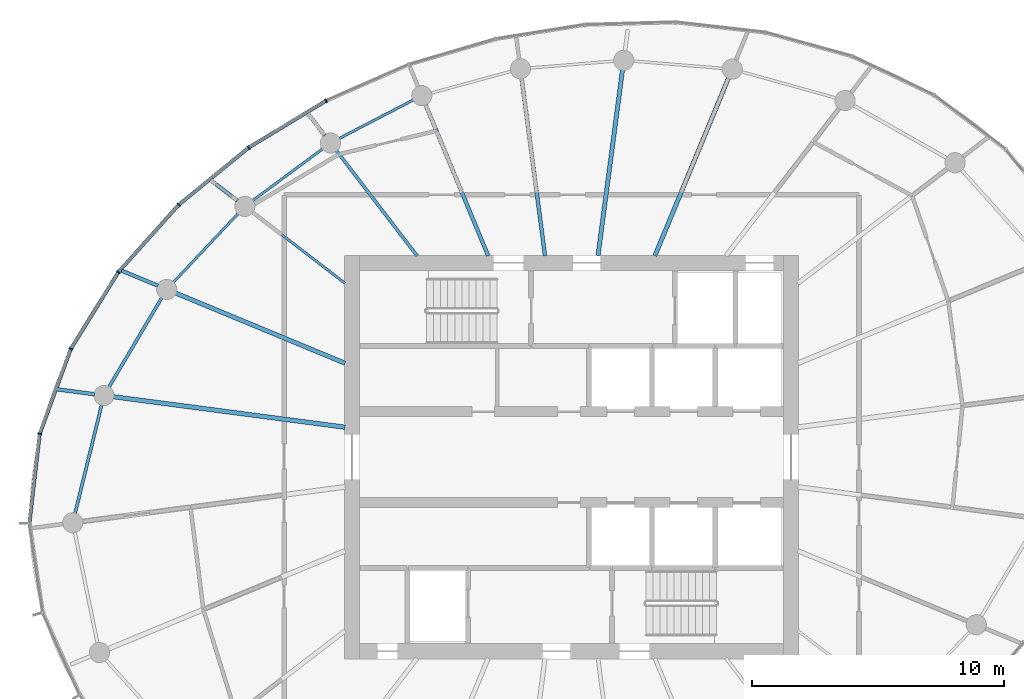
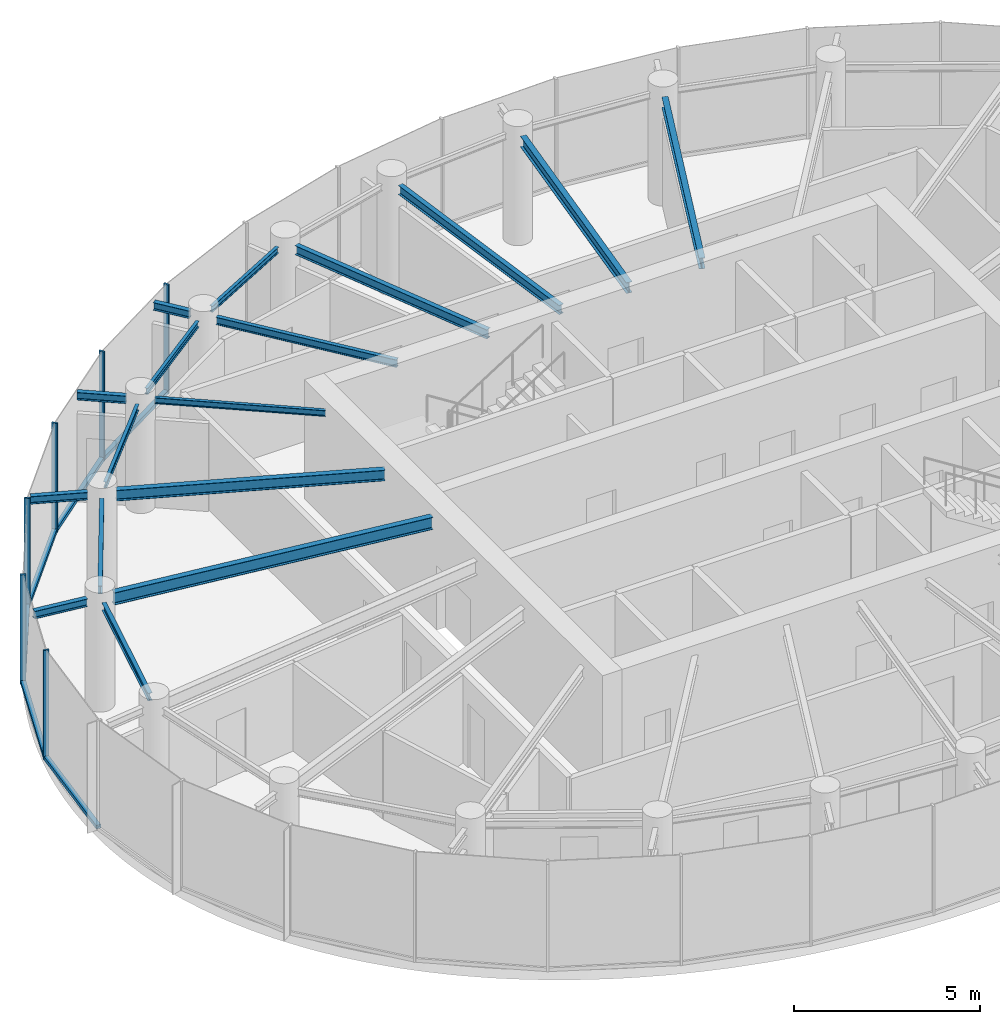
# One storey, part 4 of 13: 17 beams, 12 members, 2 elements without a shape of their own.
"""IFC4 building model written with IfcOpenShell, lengths in metres."""

from ifc_helpers import new_model, si_unit, direction, frame, origin, origin_2d, place, context, subcontext, project, spatial, rectangle, i_section, extrude, source, transform, mapped, material, layer, layer_set, material_profile, profile_set, type_object, element, aggregate, save


model = new_model("IFC4")

# Units and contexts
model_context = context("Model", 3, precision=1e-05, world=origin(), true_north=direction((0.0, 1.0)))
body_context = subcontext(model_context, "Body", "Model", "MODEL_VIEW")
ifc_project = project(units=[si_unit("LENGTHUNIT", "METRE"), si_unit("AREAUNIT", "SQUARE_METRE"), si_unit("VOLUMEUNIT", "CUBIC_METRE"), si_unit("PLANEANGLEUNIT", "RADIAN"), si_unit("MASSUNIT", "GRAM", prefix="KILO")], contexts=[model_context])

# Site, building, storey
site_placement = place(None, origin())
site = spatial("IfcSite", under=ifc_project, at=site_placement, CompositionType="ELEMENT")
building_placement = place(site_placement, origin())
building = spatial("IfcBuilding", under=site, at=building_placement, Name="Spindrift Exchange Tower", CompositionType="ELEMENT")
storey_placement = place(building_placement, frame((0.0, 0.0, 254.0)))
storey = spatial("IfcBuildingStorey", under=building, at=storey_placement, Name="L62", CompositionType="ELEMENT", Elevation=254.0)

# Beams
ifc_material_1 = material(Name="Steel Grade 300", Category="steel")
ifc_material_profile_1 = material_profile(ifc_material_1, i_section(OverallWidth=0.14599609375, OverallDepth=0.251953125, WebThickness=0.006103515625, FlangeThickness=0.008544921875, FilletRadius=0.011962890625, at=origin_2d()), Name="250UB31.4")
ifc_profile_set_1 = profile_set([ifc_material_profile_1], Name="Steel Grade 300")
beam_type_1 = type_object("IfcBeamType", Name="Cantilever Beam 250UB31.4 Steel Grade 300", PredefinedType="BEAM", material=ifc_profile_set_1)
shared_shape_1 = source(origin(), body_context, "Body", "SweptSolid", [
    extrude(i_section(OverallWidth=0.14599609375, OverallDepth=0.251953125, WebThickness=0.006103515625, FlangeThickness=0.008544921875, FilletRadius=0.011962890625, at=origin_2d()), origin(), (0.0, 0.0, 1.0), 1.551025390625),
])
beam_1_placement = place(storey_placement, frame((35.597412109375, 54.794189453125, 3.4541015625), z_axis=(-0.923903659935, 0.382625178416, 0.0), x_axis=(-0.382625178416, -0.923903659935, 0.0)))
element("IfcBeam", 1, at=beam_1_placement, inside=storey, type_object=beam_type_1, Name="L62 cantilever beam R11T", PredefinedType="BEAM", context=body_context, shape_type="MappedRepresentation", body=[
    mapped(shared_shape_1, transform((0.0, 0.0, 0.0), scale=1.0)),
])
ifc_material_profile_2 = material_profile(ifc_material_1, i_section(OverallWidth=0.1708984375, OverallDepth=0.35205078125, WebThickness=0.0068359375, FlangeThickness=0.009765625, FilletRadius=0.013916015625, at=origin_2d()), Name="360UB44.7")
ifc_profile_set_2 = profile_set([ifc_material_profile_2], Name="Steel Grade 300")
beam_type_2 = type_object("IfcBeamType", Name="Floor Beam 360UB44.7 Steel Grade 300", PredefinedType="BEAM", material=ifc_profile_set_2)
shared_shape_2 = source(origin(), body_context, "Body", "SweptSolid", [
    extrude(i_section(OverallWidth=0.1708984375, OverallDepth=0.35205078125, WebThickness=0.0068359375, FlangeThickness=0.009765625, FilletRadius=0.013916015625, at=origin_2d()), origin(), (0.0, 0.0, 1.0), 7.630859375),
])
beam_2_placement = place(storey_placement, frame((55.30615234375, 55.9814453125, 3.404052734375), z_axis=(0.382676740702, 0.92388230426, 0.0), x_axis=(-0.92388230426, 0.382676740702, 0.0)))
element("IfcBeam", 2, at=beam_2_placement, inside=storey, type_object=beam_type_2, Name="L62 radial beam R05A", PredefinedType="BEAM", context=body_context, shape_type="MappedRepresentation", body=[
    mapped(shared_shape_2, transform((0.0, 0.0, 0.0), scale=1.0)),
])
shared_shape_3 = source(origin(), body_context, "Body", "SweptSolid", [
    extrude(i_section(OverallWidth=0.1708984375, OverallDepth=0.35205078125, WebThickness=0.0068359375, FlangeThickness=0.009765625, FilletRadius=0.013916015625, at=origin_2d()), origin(), (0.0, 0.0, 1.0), 7.43798828125),
])
beam_3_placement = place(storey_placement, frame((53.050537109375, 55.980224609375, 3.404052734375), z_axis=(0.130540269579, 0.991443007953, 0.0), x_axis=(-0.991443007953, 0.130540269579, 0.0)))
element("IfcBeam", 3, at=beam_3_placement, inside=storey, type_object=beam_type_2, Name="L62 radial beam R06A", PredefinedType="BEAM", context=body_context, shape_type="MappedRepresentation", body=[
    mapped(shared_shape_3, transform((0.0, 0.0, 0.0), scale=1.0)),
])
ifc_material_profile_3 = material_profile(ifc_material_1, i_section(OverallWidth=0.14892578125, OverallDepth=0.298095703125, WebThickness=0.005615234375, FlangeThickness=0.008056640625, FilletRadius=0.012939453125, at=origin_2d()), Name="310UB32.0")
ifc_profile_set_3 = profile_set([ifc_material_profile_3], Name="Steel Grade 300")
beam_type_3 = type_object("IfcBeamType", Name="Floor Beam 310UB32.0 Steel Grade 300", PredefinedType="BEAM", material=ifc_profile_set_3)
shared_shape_4 = source(origin(), body_context, "Body", "SweptSolid", [
    extrude(i_section(OverallWidth=0.14892578125, OverallDepth=0.298095703125, WebThickness=0.005615234375, FlangeThickness=0.008056640625, FilletRadius=0.012939453125, at=origin_2d()), origin(), (0.0, 0.0, 1.0), 7.099853515625),
])
beam_4_placement = place(storey_placement, frame((50.949462890625, 55.980224609375, 3.430908203125), z_axis=(-0.130532789835, 0.991443992759, 0.0), x_axis=(-0.991443992759, -0.130532789835, 0.0)))
element("IfcBeam", 4, at=beam_4_placement, inside=storey, type_object=beam_type_3, Name="L62 radial beam R07A", PredefinedType="BEAM", context=body_context, shape_type="MappedRepresentation", body=[
    mapped(shared_shape_4, transform((0.0, 0.0, 0.0), scale=1.0)),
])
shared_shape_5 = source(origin(), body_context, "Body", "SweptSolid", [
    extrude(i_section(OverallWidth=0.14892578125, OverallDepth=0.298095703125, WebThickness=0.005615234375, FlangeThickness=0.008056640625, FilletRadius=0.012939453125, at=origin_2d()), origin(), (0.0, 0.0, 1.0), 6.495849609375),
])
beam_5_placement = place(storey_placement, frame((48.69384765625, 55.9814453125, 3.430908203125), z_axis=(-0.382677087308, 0.923882160695, 0.0), x_axis=(-0.923882160695, -0.382677087308, 0.0)))
element("IfcBeam", 5, at=beam_5_placement, inside=storey, type_object=beam_type_3, Name="L62 radial beam R08A", PredefinedType="BEAM", context=body_context, shape_type="MappedRepresentation", body=[
    mapped(shared_shape_5, transform((0.0, 0.0, 0.0), scale=1.0)),
])
ifc_material_profile_4 = material_profile(ifc_material_1, i_section(OverallWidth=0.1240234375, OverallDepth=0.248046875, WebThickness=0.0048828125, FlangeThickness=0.008056640625, FilletRadius=0.011962890625, at=origin_2d()), Name="250UB25.7")
ifc_profile_set_4 = profile_set([ifc_material_profile_4], Name="Steel Grade 300")
beam_type_4 = type_object("IfcBeamType", Name="Floor Beam 250UB25.7 Steel Grade 300", PredefinedType="BEAM", material=ifc_profile_set_4)
shared_shape_6 = source(origin(), body_context, "Body", "SweptSolid", [
    extrude(i_section(OverallWidth=0.1240234375, OverallDepth=0.248046875, WebThickness=0.0048828125, FlangeThickness=0.008056640625, FilletRadius=0.011962890625, at=origin_2d()), origin(), (0.0, 0.0, 1.0), 5.25341796875),
])
beam_6_placement = place(storey_placement, frame((45.87353515625, 55.984130859375, 3.4560546875), z_axis=(-0.608760287872, 0.793354215915, 0.0), x_axis=(-0.793354215915, -0.608760287872, 0.0)))
element("IfcBeam", 6, at=beam_6_placement, inside=storey, type_object=beam_type_4, Name="L62 radial beam R09A", PredefinedType="BEAM", context=body_context, shape_type="MappedRepresentation", body=[
    mapped(shared_shape_6, transform((0.0, 0.0, 0.0), scale=1.0)),
])
ifc_material_profile_5 = material_profile(ifc_material_1, i_section(OverallWidth=0.09912109375, OverallDepth=0.197998046875, WebThickness=0.00439453125, FlangeThickness=0.007080078125, FilletRadius=0.010986328125, at=origin_2d()), Name="200UB18.2")
ifc_profile_set_5 = profile_set([ifc_material_profile_5], Name="Steel Grade 300")
beam_type_5 = type_object("IfcBeamType", Name="Floor Beam 200UB18.2 Steel Grade 300", PredefinedType="BEAM", material=ifc_profile_set_5)
shared_shape_7 = source(origin(), body_context, "Body", "SweptSolid", [
    extrude(i_section(OverallWidth=0.09912109375, OverallDepth=0.197998046875, WebThickness=0.00439453125, FlangeThickness=0.007080078125, FilletRadius=0.010986328125, at=origin_2d()), origin(), (0.0, 0.0, 1.0), 4.622802734375),
])
beam_7_placement = place(storey_placement, frame((43.015869140625, 54.893798828125, 3.48095703125), z_axis=(-0.793347882225, 0.608768542033, 0.0), x_axis=(-0.608768542033, -0.793347882225, 0.0)))
element("IfcBeam", 7, at=beam_7_placement, inside=storey, type_object=beam_type_5, Name="L62 radial beam R10A", PredefinedType="BEAM", context=body_context, shape_type="MappedRepresentation", body=[
    mapped(shared_shape_7, transform((0.0, 0.0, 0.0), scale=1.0)),
])
shared_shape_8 = source(origin(), body_context, "Body", "SweptSolid", [
    extrude(i_section(OverallWidth=0.1708984375, OverallDepth=0.35205078125, WebThickness=0.0068359375, FlangeThickness=0.009765625, FilletRadius=0.013916015625, at=origin_2d()), origin(), (0.0, 0.0, 1.0), 7.272705078125),
])
beam_8_placement = place(storey_placement, frame((43.0185546875, 51.72021484375, 3.404052734375), z_axis=(-0.923874446092, 0.382695711836, 0.0), x_axis=(-0.382695711836, -0.923874446092, 0.0)))
element("IfcBeam", 8, at=beam_8_placement, inside=storey, type_object=beam_type_2, Name="L62 radial beam R11A", PredefinedType="BEAM", context=body_context, shape_type="MappedRepresentation", body=[
    mapped(shared_shape_8, transform((0.0, 0.0, 0.0), scale=1.0)),
])
ifc_material_profile_6 = material_profile(ifc_material_1, i_section(OverallWidth=0.177978515625, OverallDepth=0.403076171875, WebThickness=0.007568359375, FlangeThickness=0.010986328125, FilletRadius=0.013916015625, at=origin_2d()), Name="410UB53.7")
ifc_profile_set_6 = profile_set([ifc_material_profile_6], Name="Steel Grade 300")
beam_type_6 = type_object("IfcBeamType", Name="Floor Beam 410UB53.7 Steel Grade 300", PredefinedType="BEAM", material=ifc_profile_set_6)
shared_shape_9 = source(origin(), body_context, "Body", "SweptSolid", [
    extrude(i_section(OverallWidth=0.177978515625, OverallDepth=0.403076171875, WebThickness=0.007568359375, FlangeThickness=0.010986328125, FilletRadius=0.013916015625, at=origin_2d()), origin(), (0.0, 0.0, 1.0), 9.261962890625),
])
beam_9_placement = place(storey_placement, frame((43.019775390625, 49.182373046875, 3.37841796875), z_axis=(-0.991447744872, 0.130504288008, 0.0), x_axis=(-0.130504288008, -0.991447744872, 0.0)))
element("IfcBeam", 9, at=beam_9_placement, inside=storey, type_object=beam_type_6, Name="L62 radial beam R12A", PredefinedType="BEAM", context=body_context, shape_type="MappedRepresentation", body=[
    mapped(shared_shape_9, transform((0.0, 0.0, 0.0), scale=1.0)),
])
ifc_material_profile_7 = material_profile(ifc_material_1, i_section(OverallWidth=0.09912109375, OverallDepth=0.197998046875, WebThickness=0.00439453125, FlangeThickness=0.007080078125, FilletRadius=0.010986328125, at=origin_2d()), Name="200UB18.2")
ifc_profile_set_7 = profile_set([ifc_material_profile_7], Name="Steel Grade 300")
beam_type_7 = type_object("IfcBeamType", Name="Edge Beam 200UB18.2 Steel Grade 300", PredefinedType="SPANDREL", material=ifc_profile_set_7)
shared_shape_10 = source(origin(), body_context, "Body", "SweptSolid", [
    extrude(i_section(OverallWidth=0.09912109375, OverallDepth=0.197998046875, WebThickness=0.00439453125, FlangeThickness=0.007080078125, FilletRadius=0.010986328125, at=origin_2d()), origin(), (0.0, 0.0, 1.0), 3.31787109375),
])
beam_10_placement = place(storey_placement, frame((45.7255859375, 62.15869140625, 3.48095703125), z_axis=(-0.887327612278, -0.46113957593, 0.0), x_axis=(0.46113957593, -0.887327612278, 0.0)))
element("IfcBeam", 10, at=beam_10_placement, inside=storey, type_object=beam_type_7, Name="L62 edge beam E08", PredefinedType="SPANDREL", context=body_context, shape_type="MappedRepresentation", body=[
    mapped(shared_shape_10, transform((0.0, 0.0, 0.0), scale=1.0)),
])
shared_shape_11 = source(origin(), body_context, "Body", "SweptSolid", [
    extrude(i_section(OverallWidth=0.09912109375, OverallDepth=0.197998046875, WebThickness=0.00439453125, FlangeThickness=0.007080078125, FilletRadius=0.010986328125, at=origin_2d()), origin(), (0.0, 0.0, 1.0), 3.466552734375),
])
beam_11_placement = place(storey_placement, frame((42.138916015625, 60.227294921875, 3.48095703125), z_axis=(-0.803854022168, -0.594826622676, 0.0), x_axis=(0.594826622676, -0.803854022168, 0.0)))
element("IfcBeam", 11, at=beam_11_placement, inside=storey, type_object=beam_type_7, Name="L62 edge beam E09", PredefinedType="SPANDREL", context=body_context, shape_type="MappedRepresentation", body=[
    mapped(shared_shape_11, transform((0.0, 0.0, 0.0), scale=1.0)),
])
shared_shape_12 = source(origin(), body_context, "Body", "SweptSolid", [
    extrude(i_section(OverallWidth=0.09912109375, OverallDepth=0.197998046875, WebThickness=0.00439453125, FlangeThickness=0.007080078125, FilletRadius=0.010986328125, at=origin_2d()), origin(), (0.0, 0.0, 1.0), 3.759765625),
])
beam_12_placement = place(storey_placement, frame((38.786376953125, 57.66259765625, 3.48095703125), z_axis=(-0.685520646854, -0.72805318675, 0.0), x_axis=(0.72805318675, -0.685520646854, 0.0)))
element("IfcBeam", 12, at=beam_12_placement, inside=storey, type_object=beam_type_7, Name="L62 edge beam E10", PredefinedType="SPANDREL", context=body_context, shape_type="MappedRepresentation", body=[
    mapped(shared_shape_12, transform((0.0, 0.0, 0.0), scale=1.0)),
])
ifc_material_profile_8 = material_profile(ifc_material_1, i_section(OverallWidth=0.1240234375, OverallDepth=0.248046875, WebThickness=0.0048828125, FlangeThickness=0.008056640625, FilletRadius=0.011962890625, at=origin_2d()), Name="250UB25.7")
ifc_profile_set_8 = profile_set([ifc_material_profile_8], Name="Steel Grade 300")
beam_type_8 = type_object("IfcBeamType", Name="Edge Beam 250UB25.7 Steel Grade 300", PredefinedType="SPANDREL", material=ifc_profile_set_8)
shared_shape_13 = source(origin(), body_context, "Body", "SweptSolid", [
    extrude(i_section(OverallWidth=0.1240234375, OverallDepth=0.248046875, WebThickness=0.0048828125, FlangeThickness=0.008056640625, FilletRadius=0.011962890625, at=origin_2d()), origin(), (0.0, 0.0, 1.0), 4.128662109375),
])
beam_13_placement = place(storey_placement, frame((35.755126953125, 54.321533203125, 3.4560546875), z_axis=(-0.509067946458, -0.860726336235, 0.0), x_axis=(0.860726336235, -0.509067946458, 0.0)))
element("IfcBeam", 13, at=beam_13_placement, inside=storey, type_object=beam_type_8, Name="L62 edge beam E11", PredefinedType="SPANDREL", context=body_context, shape_type="MappedRepresentation", body=[
    mapped(shared_shape_13, transform((0.0, 0.0, 0.0), scale=1.0)),
])
shared_shape_14 = source(origin(), body_context, "Body", "SweptSolid", [
    extrude(i_section(OverallWidth=0.1240234375, OverallDepth=0.248046875, WebThickness=0.0048828125, FlangeThickness=0.008056640625, FilletRadius=0.011962890625, at=origin_2d()), origin(), (0.0, 0.0, 1.0), 4.43408203125),
])
beam_14_placement = place(storey_placement, frame((33.369384765625, 50.07177734375, 3.4560546875), z_axis=(-0.238193109804, -0.971217814109, 0.0), x_axis=(0.971217814109, -0.238193109804, 0.0)))
element("IfcBeam", 14, at=beam_14_placement, inside=storey, type_object=beam_type_8, Name="L62 edge beam E12", PredefinedType="SPANDREL", context=body_context, shape_type="MappedRepresentation", body=[
    mapped(shared_shape_14, transform((0.0, 0.0, 0.0), scale=1.0)),
])
shared_shape_15 = source(origin(), body_context, "Body", "SweptSolid", [
    extrude(i_section(OverallWidth=0.14599609375, OverallDepth=0.251953125, WebThickness=0.006103515625, FlangeThickness=0.008544921875, FilletRadius=0.011962890625, at=origin_2d()), origin(), (0.0, 0.0, 1.0), 1.048828125),
])
beam_15_placement = place(storey_placement, frame((42.212890625, 60.754638671875, 3.4541015625), z_axis=(-0.608641632682, 0.793445248877, 0.0), x_axis=(-0.793445248877, -0.608641632682, 0.0)))
element("IfcBeam", 15, at=beam_15_placement, inside=storey, type_object=beam_type_1, Name="L62 cantilever beam R09T", PredefinedType="BEAM", context=body_context, shape_type="MappedRepresentation", body=[
    mapped(shared_shape_15, transform((0.0, 0.0, 0.0), scale=1.0)),
])
shared_shape_16 = source(origin(), body_context, "Body", "SweptSolid", [
    extrude(i_section(OverallWidth=0.14599609375, OverallDepth=0.251953125, WebThickness=0.006103515625, FlangeThickness=0.008544921875, FilletRadius=0.011962890625, at=origin_2d()), origin(), (0.0, 0.0, 1.0), 1.338623046875),
])
beam_16_placement = place(storey_placement, frame((38.74560546875, 58.170654296875, 3.4541015625), z_axis=(-0.793430184658, 0.608661270391, 0.0), x_axis=(-0.608661270391, -0.793430184658, 0.0)))
element("IfcBeam", 16, at=beam_16_placement, inside=storey, type_object=beam_type_1, Name="L62 cantilever beam R10T", PredefinedType="BEAM", context=body_context, shape_type="MappedRepresentation", body=[
    mapped(shared_shape_16, transform((0.0, 0.0, 0.0), scale=1.0)),
])
shared_shape_17 = source(origin(), body_context, "Body", "SweptSolid", [
    extrude(i_section(OverallWidth=0.14599609375, OverallDepth=0.251953125, WebThickness=0.006103515625, FlangeThickness=0.008544921875, FilletRadius=0.011962890625, at=origin_2d()), origin(), (0.0, 0.0, 1.0), 1.546630859375),
])
beam_17_placement = place(storey_placement, frame((33.083251953125, 50.490478515625, 3.4541015625), z_axis=(-0.991443009305, 0.130540259305, 0.0), x_axis=(-0.130540259305, -0.991443009305, 0.0)))
element("IfcBeam", 17, at=beam_17_placement, inside=storey, type_object=beam_type_1, Name="L62 cantilever beam R12T", PredefinedType="BEAM", context=body_context, shape_type="MappedRepresentation", body=[
    mapped(shared_shape_17, transform((0.0, 0.0, 0.0), scale=1.0)),
])

# Curtain wall, members
ifc_material_2 = material(Name="Fritted laminated glass with bronze frame", Category="glass")
ifc_layer = layer(ifc_material_2, 0.159912109375)
ifc_layer_set = layer_set([ifc_layer], Name="ZONE 5 BRONZE FRITTED WALL")
curtain_wall_type = type_object("IfcCurtainWallType", Name="ZONE 5 BRONZE FRITTED WALL", PredefinedType="NOTDEFINED", material=ifc_layer_set)
curtain_wall_1_placement = place(storey_placement, origin())
curtain_wall_1 = element("IfcCurtainWall", 18, at=curtain_wall_1_placement, inside=storey, type_object=curtain_wall_type, Name="L62 Zone 5 Bronze Fritted Wall run 2", PredefinedType="NOTDEFINED")
ifc_material_3 = material(Name="Bronze anodised aluminium", Category="aluminium")
ifc_material_profile_9 = material_profile(ifc_material_3, rectangle(XDim=0.06005859375, YDim=0.159912109375, at=origin_2d()), Name="ZONE 5 BRONZE FRITTED WALL MULLION 60X160")
ifc_profile_set_9 = profile_set([ifc_material_profile_9], Name="Bronze anodised aluminium")
member_type_1 = type_object("IfcMemberType", Name="ZONE 5 BRONZE FRITTED WALL MULLION 60X160", PredefinedType="MULLION", material=ifc_profile_set_9)
shared_shape_18 = source(origin(), body_context, "Body", "SweptSolid", [
    extrude(rectangle(XDim=0.06005859375, YDim=0.159912109375, at=origin_2d()), origin(), (0.0, 0.0, 1.0), 3.580078125),
])
member_1_placement = place(storey_placement, frame((42.265380859375, 62.130615234375, 0.0), z_axis=(0.0, 0.0, 1.0), x_axis=(-0.887443142127, -0.460917204594, 0.0)))
member_1 = element("IfcMember", 19, at=member_1_placement, type_object=member_type_1, Name="L62 mullion CW-5.11", PredefinedType="MULLION", context=body_context, shape_type="MappedRepresentation", body=[
    mapped(shared_shape_18, transform((0.0, 0.0, 0.0), scale=1.0)),
])
member_2_placement = place(storey_placement, frame((39.198486328125, 60.272216796875, 0.0), z_axis=(0.0, 0.0, 1.0), x_axis=(-0.816787534057, -0.576938579234, 0.0)))
member_2 = element("IfcMember", 20, at=member_2_placement, type_object=member_type_1, Name="L62 mullion CW-5.12", PredefinedType="MULLION", context=body_context, shape_type="MappedRepresentation", body=[
    mapped(shared_shape_18, transform((0.0, 0.0, 0.0), scale=1.0)),
])

curtain_wall_2_placement = place(storey_placement, origin())
curtain_wall_2 = element("IfcCurtainWall", 21, at=curtain_wall_2_placement, inside=storey, type_object=curtain_wall_type, Name="L62 Zone 5 Bronze Fritted Wall run 3", PredefinedType="NOTDEFINED")
member_3_placement = place(storey_placement, frame((36.42236328125, 58.003173828125, 0.0), z_axis=(0.0, 0.0, 1.0), x_axis=(-0.722977818343, -0.69087124284, 0.0)))
member_3 = element("IfcMember", 22, at=member_3_placement, type_object=member_type_1, Name="L62 mullion CW-5.13", PredefinedType="MULLION", context=body_context, shape_type="MappedRepresentation", body=[
    mapped(shared_shape_18, transform((0.0, 0.0, 0.0), scale=1.0)),
])
member_4_placement = place(storey_placement, frame((34.030029296875, 55.33349609375, 0.0), z_axis=(0.0, 0.0, 1.0), x_axis=(-0.599295911585, -0.800527582509, 0.0)))
member_4 = element("IfcMember", 23, at=member_4_placement, type_object=member_type_1, Name="L62 mullion CW-5.14", PredefinedType="MULLION", context=body_context, shape_type="MappedRepresentation", body=[
    mapped(shared_shape_18, transform((0.0, 0.0, 0.0), scale=1.0)),
])
member_5_placement = place(storey_placement, frame((32.14306640625, 52.287109375, 0.0), z_axis=(0.0, 0.0, 1.0), x_axis=(-0.437477537297, -0.899229339135, 0.0)))
member_5 = element("IfcMember", 24, at=member_5_placement, type_object=member_type_1, Name="L62 mullion CW-5.15", PredefinedType="MULLION", context=body_context, shape_type="MappedRepresentation", body=[
    mapped(shared_shape_18, transform((0.0, 0.0, 0.0), scale=1.0)),
])
member_6_placement = place(storey_placement, frame((30.91162109375, 48.924072265625, 0.0), z_axis=(0.0, 0.0, 1.0), x_axis=(-0.23099565963, -0.972954780672, 0.0)))
member_6 = element("IfcMember", 25, at=member_6_placement, type_object=member_type_1, Name="L62 mullion CW-5.16", PredefinedType="MULLION", context=body_context, shape_type="MappedRepresentation", body=[
    mapped(shared_shape_18, transform((0.0, 0.0, 0.0), scale=1.0)),
])

# Member
ifc_material_profile_10 = material_profile(ifc_material_3, rectangle(XDim=0.139892578125, YDim=0.1201171875, at=origin_2d()), Name="ZONE 5 BRONZE FRITTED WALL TRANSOM 140X120")
ifc_profile_set_10 = profile_set([ifc_material_profile_10], Name="Bronze anodised aluminium")
member_type_2 = type_object("IfcMemberType", Name="ZONE 5 BRONZE FRITTED WALL TRANSOM 140X120", PredefinedType="USERDEFINED", material=ifc_profile_set_10)
shared_shape_19 = source(origin(), body_context, "Body", "SweptSolid", [
    extrude(rectangle(XDim=0.139892578125, YDim=0.1201171875, at=origin_2d()), origin(), (0.0, 0.0, 1.0), 3.52587890625),
])
member_7_placement = place(storey_placement, frame((42.23974609375, 62.114990234375, 0.06005859375), z_axis=(-0.855261067193, -0.518197362927, 0.0), x_axis=(0.518197362927, -0.855261067193, 0.0)))
member_7 = element("IfcMember", 26, at=member_7_placement, type_object=member_type_2, Name="L62 transom CW-5.11", ObjectType="TRANSOM", PredefinedType="USERDEFINED", context=body_context, shape_type="MappedRepresentation", body=[
    mapped(shared_shape_19, transform((0.0, 0.0, 0.0), scale=1.0)),
])

shared_shape_20 = source(origin(), body_context, "Body", "SweptSolid", [
    extrude(rectangle(XDim=0.139892578125, YDim=0.1201171875, at=origin_2d()), origin(), (0.0, 0.0, 1.0), 3.525390625),
])
member_8_placement = place(storey_placement, frame((39.17529296875, 60.253173828125, 0.06005859375), z_axis=(-0.774299671787, -0.632819103908, 0.0), x_axis=(0.632819103908, -0.774299671787, 0.0)))
member_8 = element("IfcMember", 27, at=member_8_placement, type_object=member_type_2, Name="L62 transom CW-5.12", ObjectType="TRANSOM", PredefinedType="USERDEFINED", context=body_context, shape_type="MappedRepresentation", body=[
    mapped(shared_shape_20, transform((0.0, 0.0, 0.0), scale=1.0)),
])

aggregate(curtain_wall_1, [member_1, member_7, member_2, member_8])

shared_shape_21 = source(origin(), body_context, "Body", "SweptSolid", [
    extrude(rectangle(XDim=0.139892578125, YDim=0.1201171875, at=origin_2d()), origin(), (0.0, 0.0, 1.0), 3.521484375),
])
member_9_placement = place(storey_placement, frame((32.132568359375, 52.259033203125, 0.06005859375), z_axis=(-0.343735135288, -0.939066641282, 0.0), x_axis=(0.939066641282, -0.343735135288, 0.0)))
member_9 = element("IfcMember", 28, at=member_9_placement, type_object=member_type_2, Name="L62 transom CW-5.15", ObjectType="TRANSOM", PredefinedType="USERDEFINED", context=body_context, shape_type="MappedRepresentation", body=[
    mapped(shared_shape_21, transform((0.0, 0.0, 0.0), scale=1.0)),
])

shared_shape_22 = source(origin(), body_context, "Body", "SweptSolid", [
    extrude(rectangle(XDim=0.139892578125, YDim=0.1201171875, at=origin_2d()), origin(), (0.0, 0.0, 1.0), 3.51953125),
])
member_10_placement = place(storey_placement, frame((30.908203125, 48.894287109375, 0.06005859375), z_axis=(-0.114945328536, -0.993371819334, 0.0), x_axis=(0.993371819334, -0.114945328536, 0.0)))
member_10 = element("IfcMember", 29, at=member_10_placement, type_object=member_type_2, Name="L62 transom CW-5.16", ObjectType="TRANSOM", PredefinedType="USERDEFINED", context=body_context, shape_type="MappedRepresentation", body=[
    mapped(shared_shape_22, transform((0.0, 0.0, 0.0), scale=1.0)),
])

shared_shape_23 = source(origin(), body_context, "Body", "SweptSolid", [
    extrude(rectangle(XDim=0.139892578125, YDim=0.1201171875, at=origin_2d()), origin(), (0.0, 0.0, 1.0), 3.5234375),
])
member_11_placement = place(storey_placement, frame((34.014404296875, 55.307861328125, 0.06005859375), z_axis=(-0.526681379659, -0.850062776694, 0.0), x_axis=(0.850062776694, -0.526681379659, 0.0)))
member_11 = element("IfcMember", 30, at=member_11_placement, type_object=member_type_2, Name="L62 transom CW-5.14", ObjectType="TRANSOM", PredefinedType="USERDEFINED", context=body_context, shape_type="MappedRepresentation", body=[
    mapped(shared_shape_23, transform((0.0, 0.0, 0.0), scale=1.0)),
])

shared_shape_24 = source(origin(), body_context, "Body", "SweptSolid", [
    extrude(rectangle(XDim=0.139892578125, YDim=0.1201171875, at=origin_2d()), origin(), (0.0, 0.0, 1.0), 3.52490234375),
])
member_12_placement = place(storey_placement, frame((36.40234375, 57.98095703125, 0.06005859375), z_axis=(-0.667329169338, -0.744762901701, 0.0), x_axis=(0.744762901701, -0.667329169338, 0.0)))
member_12 = element("IfcMember", 31, at=member_12_placement, type_object=member_type_2, Name="L62 transom CW-5.13", ObjectType="TRANSOM", PredefinedType="USERDEFINED", context=body_context, shape_type="MappedRepresentation", body=[
    mapped(shared_shape_24, transform((0.0, 0.0, 0.0), scale=1.0)),
])

aggregate(curtain_wall_2, [member_3, member_12, member_4, member_11, member_5, member_9, member_6, member_10])

save(model, "model.ifc")
